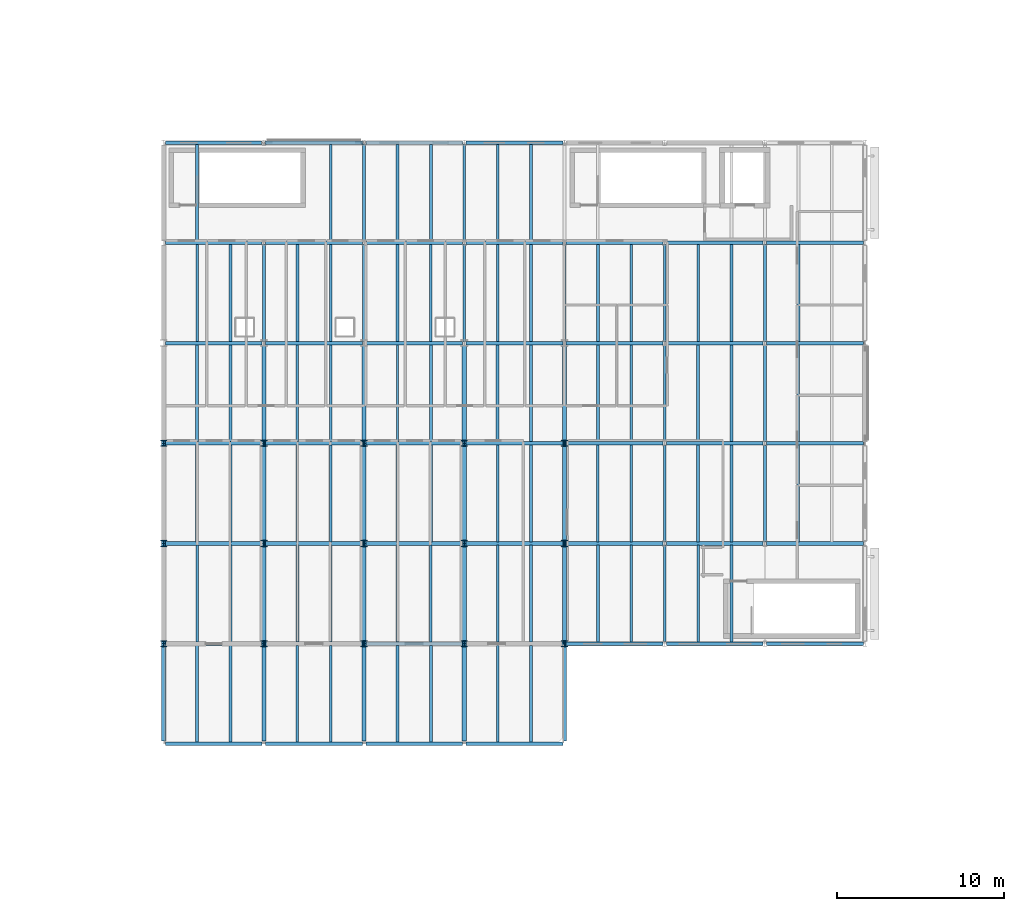
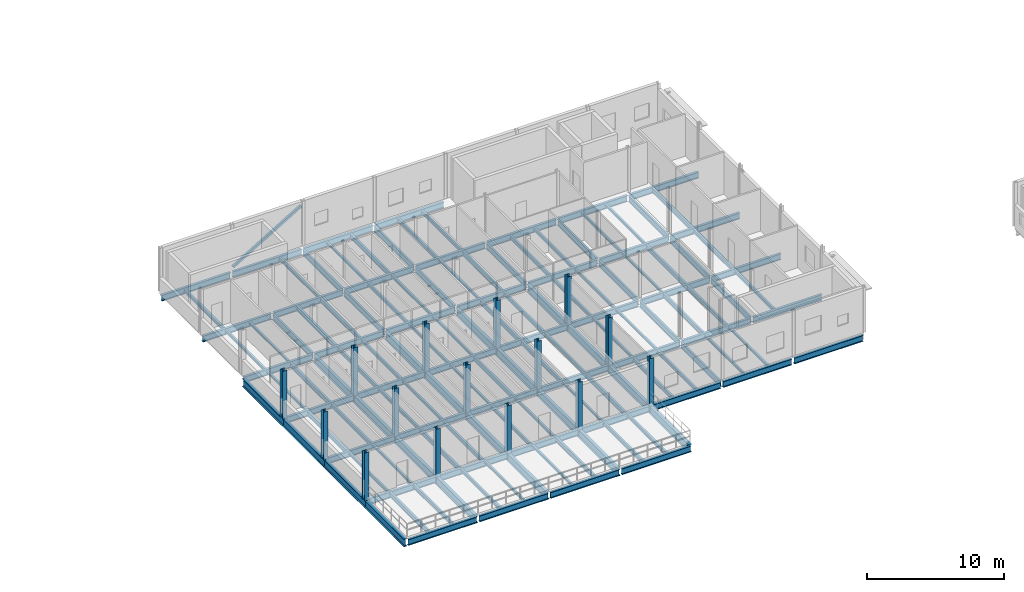
# One storey, part 9 of 45: 141 beams, 16 members.
"""IFC4 building model written with IfcOpenShell, lengths in metres."""

from ifc_helpers import new_model, si_unit, direction, frame, origin, origin_2d, place, context, subcontext, project, spatial, hollow_rectangle, i_section, extrude, material, material_profile, profile_set, type_object, element, save


model = new_model("IFC4")

# Units and contexts
model_context = context("Model", 3, precision=1e-05, world=origin(), true_north=direction((0.0, 1.0)))
body_context = subcontext(model_context, "Body", "Model", "MODEL_VIEW")
ifc_project = project(units=[si_unit("LENGTHUNIT", "METRE"), si_unit("AREAUNIT", "SQUARE_METRE"), si_unit("VOLUMEUNIT", "CUBIC_METRE"), si_unit("PLANEANGLEUNIT", "RADIAN"), si_unit("MASSUNIT", "GRAM", prefix="KILO")], contexts=[model_context])

# Site, building, storey
site_placement = place(None, origin())
site = spatial("IfcSite", under=ifc_project, at=site_placement, CompositionType="ELEMENT")
building_placement = place(site_placement, origin())
building = spatial("IfcBuilding", under=site, at=building_placement, Name="Siltcreek Boulevard Central Fire Station", CompositionType="ELEMENT")
storey_placement = place(building_placement, frame((0.0, 0.0, 10.0)))
storey = spatial("IfcBuildingStorey", under=building, at=storey_placement, Name="L03", CompositionType="ELEMENT", Elevation=10.0)

# Beams
ifc_material_1 = material(Name="Structural steel ASTM A992 Gr50", Category="steel")
ifc_material_profile_1 = material_profile(ifc_material_1, i_section(OverallWidth=0.2109375, OverallDepth=0.5390625, WebThickness=0.01171875, FlangeThickness=0.018798828125, at=origin_2d()), Name="W530X109")
ifc_profile_set_1 = profile_set([ifc_material_profile_1], Name="Structural steel ASTM A992 Gr50")
beam_type_1 = type_object("IfcBeamType", Name="BM_W530X109", PredefinedType="BEAM", material=ifc_profile_set_1)
for number, where, z_axis, x_axis, name in (
    (1, (66.10009765625, 18.0, -0.4794921875), (1.0, 0.0, 0.0), (0.0, 1.0, 0.0), "L03 primary steel girder GX-0312"),
    (2, (72.10009765625, 18.0, -0.4794921875), (1.0, 0.0, 0.0), (0.0, 1.0, 0.0), "L03 primary steel girder GX-0313"),
    (3, (78.10009765625, 18.0, -0.4794921875), (1.0, 0.0, 0.0), (0.0, 1.0, 0.0), "L03 primary steel girder GX-0314"),
    (4, (84.10009765625, 18.0, -0.4794921875), (1.0, 0.0, 0.0), (0.0, 1.0, 0.0), "L03 primary steel girder GX-0315"),
    (5, (66.10009765625, 24.0, -0.549560546875), (1.0, 0.0, 0.0), (0.0, 1.0, 0.0), "L03 primary steel girder GX-0316"),
    (6, (72.10009765625, 24.0, -0.549560546875), (1.0, 0.0, 0.0), (0.0, 1.0, 0.0), "L03 primary steel girder GX-0317"),
    (7, (78.10009765625, 24.0, -0.549560546875), (1.0, 0.0, 0.0), (0.0, 1.0, 0.0), "L03 primary steel girder GX-0318"),
    (8, (84.10009765625, 24.0, -0.549560546875), (1.0, 0.0, 0.0), (0.0, 1.0, 0.0), "L03 primary steel girder GX-0319"),
    (9, (90.10009765625, 24.0, -0.549560546875), (1.0, 0.0, 0.0), (0.0, 1.0, 0.0), "L03 primary steel girder GX-0320"),
    (10, (96.10009765625, 24.0, -0.549560546875), (1.0, 0.0, 0.0), (0.0, 1.0, 0.0), "L03 primary steel girder GX-0321"),
    (11, (102.10009765625, 24.0, -0.549560546875), (1.0, 0.0, 0.0), (0.0, 1.0, 0.0), "L03 primary steel girder GX-0322"),
    (12, (66.10009765625, 30.0, -0.549560546875), (1.0, 0.0, 0.0), (0.0, 1.0, 0.0), "L03 primary steel girder GX-0323"),
    (13, (72.10009765625, 30.0, -0.549560546875), (1.0, 0.0, 0.0), (0.0, 1.0, 0.0), "L03 primary steel girder GX-0324"),
    (14, (78.10009765625, 30.0, -0.549560546875), (1.0, 0.0, 0.0), (0.0, 1.0, 0.0), "L03 primary steel girder GX-0325"),
    (15, (84.10009765625, 30.0, -0.549560546875), (1.0, 0.0, 0.0), (0.0, 1.0, 0.0), "L03 primary steel girder GX-0326"),
    (16, (90.10009765625, 30.0, -0.549560546875), (1.0, 0.0, 0.0), (0.0, 1.0, 0.0), "L03 primary steel girder GX-0327"),
    (17, (96.10009765625, 30.0, -0.549560546875), (1.0, 0.0, 0.0), (0.0, 1.0, 0.0), "L03 primary steel girder GX-0328"),
    (18, (102.10009765625, 30.0, -0.549560546875), (1.0, 0.0, 0.0), (0.0, 1.0, 0.0), "L03 primary steel girder GX-0329"),
    (19, (66.10009765625, 36.0, -0.549560546875), (1.0, 0.0, 0.0), (0.0, 1.0, 0.0), "L03 primary steel girder GX-0330"),
    (20, (72.10009765625, 36.0, -0.549560546875), (1.0, 0.0, 0.0), (0.0, 1.0, 0.0), "L03 primary steel girder GX-0331"),
    (21, (78.10009765625, 36.0, -0.549560546875), (1.0, 0.0, 0.0), (0.0, 1.0, 0.0), "L03 primary steel girder GX-0332"),
    (22, (84.10009765625, 36.0, -0.549560546875), (1.0, 0.0, 0.0), (0.0, 1.0, 0.0), "L03 primary steel girder GX-0333"),
    (23, (90.10009765625, 36.0, -0.549560546875), (1.0, 0.0, 0.0), (0.0, 1.0, 0.0), "L03 primary steel girder GX-0334"),
    (24, (96.10009765625, 36.0, -0.549560546875), (1.0, 0.0, 0.0), (0.0, 1.0, 0.0), "L03 primary steel girder GX-0335"),
    (25, (102.10009765625, 36.0, -0.549560546875), (1.0, 0.0, 0.0), (0.0, 1.0, 0.0), "L03 primary steel girder GX-0336"),
    (26, (66.10009765625, 42.0, -0.549560546875), (1.0, 0.0, 0.0), (0.0, 1.0, 0.0), "L03 primary steel girder GX-0337"),
    (27, (72.10009765625, 42.0, -0.549560546875), (1.0, 0.0, 0.0), (0.0, 1.0, 0.0), "L03 primary steel girder GX-0338"),
    (28, (78.10009765625, 42.0, -0.549560546875), (1.0, 0.0, 0.0), (0.0, 1.0, 0.0), "L03 primary steel girder GX-0339"),
    (29, (84.10009765625, 42.0, -0.549560546875), (1.0, 0.0, 0.0), (0.0, 1.0, 0.0), "L03 primary steel girder GX-0340"),
    (30, (90.10009765625, 42.0, -0.549560546875), (1.0, 0.0, 0.0), (0.0, 1.0, 0.0), "L03 primary steel girder GX-0341"),
    (31, (96.10009765625, 42.0, -0.549560546875), (1.0, 0.0, 0.0), (0.0, 1.0, 0.0), "L03 primary steel girder GX-0342"),
    (32, (102.10009765625, 42.0, -0.549560546875), (1.0, 0.0, 0.0), (0.0, 1.0, 0.0), "L03 primary steel girder GX-0343"),
    (33, (66.10009765625, 48.0, -0.549560546875), (1.0, 0.0, 0.0), (0.0, 1.0, 0.0), "L03 primary steel girder GX-0344"),
    (34, (72.10009765625, 48.0, -0.549560546875), (1.0, 0.0, 0.0), (0.0, 1.0, 0.0), "L03 primary steel girder GX-0345"),
    (35, (78.10009765625, 48.0, -0.549560546875), (1.0, 0.0, 0.0), (0.0, 1.0, 0.0), "L03 primary steel girder GX-0346"),
    (36, (84.10009765625, 48.0, -0.549560546875), (1.0, 0.0, 0.0), (0.0, 1.0, 0.0), "L03 primary steel girder GX-0347"),
    (37, (90.10009765625, 48.0, -0.549560546875), (1.0, 0.0, 0.0), (0.0, 1.0, 0.0), "L03 primary steel girder GX-0348"),
    (38, (96.10009765625, 48.0, -0.549560546875), (1.0, 0.0, 0.0), (0.0, 1.0, 0.0), "L03 primary steel girder GX-0349"),
    (39, (102.10009765625, 48.0, -0.549560546875), (1.0, 0.0, 0.0), (0.0, 1.0, 0.0), "L03 primary steel girder GX-0350"),
    (40, (66.10009765625, 54.0, -0.549560546875), (1.0, 0.0, 0.0), (0.0, 1.0, 0.0), "L03 primary steel girder GX-0351"),
    (41, (72.10009765625, 54.0, -0.549560546875), (1.0, 0.0, 0.0), (0.0, 1.0, 0.0), "L03 primary steel girder GX-0352"),
    (42, (78.10009765625, 54.0, -0.549560546875), (1.0, 0.0, 0.0), (0.0, 1.0, 0.0), "L03 primary steel girder GX-0353"),
    (43, (84.10009765625, 54.0, -0.549560546875), (1.0, 0.0, 0.0), (0.0, 1.0, 0.0), "L03 primary steel girder GX-0354"),
):
    element("IfcBeam", number, at=place(storey_placement, frame(where, z_axis=z_axis, x_axis=x_axis)), inside=storey, type_object=beam_type_1, Name=name, PredefinedType="BEAM", context=body_context, shape_type="SweptSolid", body=[
        extrude(i_section(OverallWidth=0.2109375, OverallDepth=0.5390625, WebThickness=0.01171875, FlangeThickness=0.018798828125, at=origin_2d()), origin(), (0.0, 0.0, 1.0), 5.7998046875),
    ])
ifc_material_profile_2 = material_profile(ifc_material_1, i_section(OverallWidth=0.166015625, OverallDepth=0.534912109375, WebThickness=0.01025390625, FlangeThickness=0.0166015625, at=origin_2d()), Name="W530X85")
ifc_profile_set_2 = profile_set([ifc_material_profile_2], Name="Structural steel ASTM A992 Gr50")
beam_type_2 = type_object("IfcBeamType", Name="BM_W530X85", PredefinedType="BEAM", material=ifc_profile_set_2)
for number, where, z_axis, x_axis, name in (
    (44, (72.0, 42.10009765625, -0.547607421875), (0.0, 1.0, 0.0), (-1.0, 0.0, 0.0), "L03 primary steel girder GY-0358"),
    (45, (78.0, 42.10009765625, -0.547607421875), (0.0, 1.0, 0.0), (-1.0, 0.0, 0.0), "L03 primary steel girder GY-0359"),
    (46, (78.0, 48.10009765625, -0.547607421875), (0.0, 1.0, 0.0), (-1.0, 0.0, 0.0), "L03 primary steel girder GY-0360"),
    (47, (84.0, 42.10009765625, -0.547607421875), (0.0, 1.0, 0.0), (-1.0, 0.0, 0.0), "L03 primary steel girder GY-0361"),
    (48, (84.0, 48.10009765625, -0.547607421875), (0.0, 1.0, 0.0), (-1.0, 0.0, 0.0), "L03 primary steel girder GY-0362"),
    (49, (90.0, 42.10009765625, -0.547607421875), (0.0, 1.0, 0.0), (-1.0, 0.0, 0.0), "L03 primary steel girder GY-0363"),
    (50, (96.0, 24.10009765625, -0.547607421875), (0.0, 1.0, 0.0), (-1.0, 0.0, 0.0), "L03 primary steel girder GY-0365"),
    (51, (96.0, 30.10009765625, -0.547607421875), (0.0, 1.0, 0.0), (-1.0, 0.0, 0.0), "L03 primary steel girder GY-0366"),
    (52, (96.0, 36.10009765625, -0.547607421875), (0.0, 1.0, 0.0), (-1.0, 0.0, 0.0), "L03 primary steel girder GY-0367"),
    (53, (96.0, 42.10009765625, -0.547607421875), (0.0, 1.0, 0.0), (-1.0, 0.0, 0.0), "L03 primary steel girder GY-0368"),
    (54, (102.0, 30.10009765625, -0.547607421875), (0.0, 1.0, 0.0), (-1.0, 0.0, 0.0), "L03 primary steel girder GY-0369"),
    (55, (102.0, 36.10009765625, -0.547607421875), (0.0, 1.0, 0.0), (-1.0, 0.0, 0.0), "L03 primary steel girder GY-0370"),
    (56, (102.0, 42.10009765625, -0.547607421875), (0.0, 1.0, 0.0), (-1.0, 0.0, 0.0), "L03 primary steel girder GY-0371"),
):
    element("IfcBeam", number, at=place(storey_placement, frame(where, z_axis=z_axis, x_axis=x_axis)), inside=storey, type_object=beam_type_2, Name=name, PredefinedType="BEAM", context=body_context, shape_type="SweptSolid", body=[
        extrude(i_section(OverallWidth=0.166015625, OverallDepth=0.534912109375, WebThickness=0.01025390625, FlangeThickness=0.0166015625, at=origin_2d()), origin(), (0.0, 0.0, 1.0), 5.7998046875),
    ])
ifc_material_profile_3 = material_profile(ifc_material_1, i_section(OverallWidth=0.256103515625, OverallDepth=0.693115234375, WebThickness=0.014404296875, FlangeThickness=0.023681640625, at=origin_2d()), Name="W690X170")
ifc_profile_set_3 = profile_set([ifc_material_profile_3], Name="Structural steel ASTM A992 Gr50")
beam_type_3 = type_object("IfcBeamType", Name="BM_W690X170", PredefinedType="BEAM", material=ifc_profile_set_3)
beam_1_placement = place(storey_placement, frame((66.0, 18.18505859375, -0.62646484375), z_axis=(0.0, 1.0, 0.0), x_axis=(-1.0, 0.0, 0.0)))
element("IfcBeam", 57, at=beam_1_placement, inside=storey, type_object=beam_type_3, Name="Pratt transfer truss TT1 top chord panel 1", PredefinedType="BEAM", context=body_context, shape_type="SweptSolid", body=[
    extrude(i_section(OverallWidth=0.256103515625, OverallDepth=0.693115234375, WebThickness=0.014404296875, FlangeThickness=0.023681640625, at=origin_2d()), origin(), (0.0, 0.0, 1.0), 5.81298828125),
])
for number, where, z_axis, x_axis, name in (
    (58, (66.0, 24.001953125, -0.62646484375), (0.0, 1.0, 0.0), (-1.0, 0.0, 0.0), "Pratt transfer truss TT1 top chord panel 2"),
    (59, (66.0, 30.001953125, -0.62646484375), (0.0, 1.0, 0.0), (-1.0, 0.0, 0.0), "Pratt transfer truss TT1 top chord panel 3"),
):
    element("IfcBeam", number, at=place(storey_placement, frame(where, z_axis=z_axis, x_axis=x_axis)), inside=storey, type_object=beam_type_3, Name=name, PredefinedType="BEAM", context=body_context, shape_type="SweptSolid", body=[
        extrude(i_section(OverallWidth=0.256103515625, OverallDepth=0.693115234375, WebThickness=0.014404296875, FlangeThickness=0.023681640625, at=origin_2d()), origin(), (0.0, 0.0, 1.0), 5.99609375),
    ])
for number, where, z_axis, x_axis, name in (
    (60, (66.0, 36.001953125, -0.62646484375), (0.0, 1.0, 0.0), (-1.0, 0.0, 0.0), "Pratt transfer truss TT1 top chord panel 4"),
    (61, (72.0, 18.18505859375, -0.62646484375), (0.0, 1.0, 0.0), (-1.0, 0.0, 0.0), "Pratt transfer truss TT2 top chord panel 1"),
):
    element("IfcBeam", number, at=place(storey_placement, frame(where, z_axis=z_axis, x_axis=x_axis)), inside=storey, type_object=beam_type_3, Name=name, PredefinedType="BEAM", context=body_context, shape_type="SweptSolid", body=[
        extrude(i_section(OverallWidth=0.256103515625, OverallDepth=0.693115234375, WebThickness=0.014404296875, FlangeThickness=0.023681640625, at=origin_2d()), origin(), (0.0, 0.0, 1.0), 5.81298828125),
    ])
for number, where, z_axis, x_axis, name in (
    (62, (72.0, 24.001953125, -0.62646484375), (0.0, 1.0, 0.0), (-1.0, 0.0, 0.0), "Pratt transfer truss TT2 top chord panel 2"),
    (63, (72.0, 30.001953125, -0.62646484375), (0.0, 1.0, 0.0), (-1.0, 0.0, 0.0), "Pratt transfer truss TT2 top chord panel 3"),
):
    element("IfcBeam", number, at=place(storey_placement, frame(where, z_axis=z_axis, x_axis=x_axis)), inside=storey, type_object=beam_type_3, Name=name, PredefinedType="BEAM", context=body_context, shape_type="SweptSolid", body=[
        extrude(i_section(OverallWidth=0.256103515625, OverallDepth=0.693115234375, WebThickness=0.014404296875, FlangeThickness=0.023681640625, at=origin_2d()), origin(), (0.0, 0.0, 1.0), 5.99609375),
    ])
for number, where, z_axis, x_axis, name in (
    (64, (72.0, 36.001953125, -0.62646484375), (0.0, 1.0, 0.0), (-1.0, 0.0, 0.0), "Pratt transfer truss TT2 top chord panel 4"),
    (65, (78.0, 18.18505859375, -0.62646484375), (0.0, 1.0, 0.0), (-1.0, 0.0, 0.0), "Pratt transfer truss TT3 top chord panel 1"),
):
    element("IfcBeam", number, at=place(storey_placement, frame(where, z_axis=z_axis, x_axis=x_axis)), inside=storey, type_object=beam_type_3, Name=name, PredefinedType="BEAM", context=body_context, shape_type="SweptSolid", body=[
        extrude(i_section(OverallWidth=0.256103515625, OverallDepth=0.693115234375, WebThickness=0.014404296875, FlangeThickness=0.023681640625, at=origin_2d()), origin(), (0.0, 0.0, 1.0), 5.81298828125),
    ])
for number, where, z_axis, x_axis, name in (
    (66, (78.0, 24.001953125, -0.62646484375), (0.0, 1.0, 0.0), (-1.0, 0.0, 0.0), "Pratt transfer truss TT3 top chord panel 2"),
    (67, (78.0, 30.001953125, -0.62646484375), (0.0, 1.0, 0.0), (-1.0, 0.0, 0.0), "Pratt transfer truss TT3 top chord panel 3"),
):
    element("IfcBeam", number, at=place(storey_placement, frame(where, z_axis=z_axis, x_axis=x_axis)), inside=storey, type_object=beam_type_3, Name=name, PredefinedType="BEAM", context=body_context, shape_type="SweptSolid", body=[
        extrude(i_section(OverallWidth=0.256103515625, OverallDepth=0.693115234375, WebThickness=0.014404296875, FlangeThickness=0.023681640625, at=origin_2d()), origin(), (0.0, 0.0, 1.0), 5.99609375),
    ])
for number, where, z_axis, x_axis, name in (
    (68, (78.0, 36.001953125, -0.62646484375), (0.0, 1.0, 0.0), (-1.0, 0.0, 0.0), "Pratt transfer truss TT3 top chord panel 4"),
    (69, (84.0, 18.18505859375, -0.62646484375), (0.0, 1.0, 0.0), (-1.0, 0.0, 0.0), "Pratt transfer truss TT4 top chord panel 1"),
):
    element("IfcBeam", number, at=place(storey_placement, frame(where, z_axis=z_axis, x_axis=x_axis)), inside=storey, type_object=beam_type_3, Name=name, PredefinedType="BEAM", context=body_context, shape_type="SweptSolid", body=[
        extrude(i_section(OverallWidth=0.256103515625, OverallDepth=0.693115234375, WebThickness=0.014404296875, FlangeThickness=0.023681640625, at=origin_2d()), origin(), (0.0, 0.0, 1.0), 5.81298828125),
    ])
for number, where, z_axis, x_axis, name in (
    (70, (84.0, 24.001953125, -0.62646484375), (0.0, 1.0, 0.0), (-1.0, 0.0, 0.0), "Pratt transfer truss TT4 top chord panel 2"),
    (71, (84.0, 30.001953125, -0.62646484375), (0.0, 1.0, 0.0), (-1.0, 0.0, 0.0), "Pratt transfer truss TT4 top chord panel 3"),
):
    element("IfcBeam", number, at=place(storey_placement, frame(where, z_axis=z_axis, x_axis=x_axis)), inside=storey, type_object=beam_type_3, Name=name, PredefinedType="BEAM", context=body_context, shape_type="SweptSolid", body=[
        extrude(i_section(OverallWidth=0.256103515625, OverallDepth=0.693115234375, WebThickness=0.014404296875, FlangeThickness=0.023681640625, at=origin_2d()), origin(), (0.0, 0.0, 1.0), 5.99609375),
    ])
for number, where, z_axis, x_axis, name in (
    (72, (84.0, 36.001953125, -0.62646484375), (0.0, 1.0, 0.0), (-1.0, 0.0, 0.0), "Pratt transfer truss TT4 top chord panel 4"),
    (73, (90.0, 18.18505859375, -0.62646484375), (0.0, 1.0, 0.0), (-1.0, 0.0, 0.0), "Pratt transfer truss TT5 top chord panel 1"),
):
    element("IfcBeam", number, at=place(storey_placement, frame(where, z_axis=z_axis, x_axis=x_axis)), inside=storey, type_object=beam_type_3, Name=name, PredefinedType="BEAM", context=body_context, shape_type="SweptSolid", body=[
        extrude(i_section(OverallWidth=0.256103515625, OverallDepth=0.693115234375, WebThickness=0.014404296875, FlangeThickness=0.023681640625, at=origin_2d()), origin(), (0.0, 0.0, 1.0), 5.81298828125),
    ])
for number, where, z_axis, x_axis, name in (
    (74, (90.0, 24.001953125, -0.62646484375), (0.0, 1.0, 0.0), (-1.0, 0.0, 0.0), "Pratt transfer truss TT5 top chord panel 2"),
    (75, (90.0, 30.001953125, -0.62646484375), (0.0, 1.0, 0.0), (-1.0, 0.0, 0.0), "Pratt transfer truss TT5 top chord panel 3"),
):
    element("IfcBeam", number, at=place(storey_placement, frame(where, z_axis=z_axis, x_axis=x_axis)), inside=storey, type_object=beam_type_3, Name=name, PredefinedType="BEAM", context=body_context, shape_type="SweptSolid", body=[
        extrude(i_section(OverallWidth=0.256103515625, OverallDepth=0.693115234375, WebThickness=0.014404296875, FlangeThickness=0.023681640625, at=origin_2d()), origin(), (0.0, 0.0, 1.0), 5.99609375),
    ])
beam_2_placement = place(storey_placement, frame((90.0, 36.001953125, -0.62646484375), z_axis=(0.0, 1.0, 0.0), x_axis=(-1.0, 0.0, 0.0)))
element("IfcBeam", 76, at=beam_2_placement, inside=storey, type_object=beam_type_3, Name="Pratt transfer truss TT5 top chord panel 4", PredefinedType="BEAM", context=body_context, shape_type="SweptSolid", body=[
    extrude(i_section(OverallWidth=0.256103515625, OverallDepth=0.693115234375, WebThickness=0.014404296875, FlangeThickness=0.023681640625, at=origin_2d()), origin(), (0.0, 0.0, 1.0), 5.81298828125),
])

# Members
ifc_material_2 = material(Name="Structural steel ASTM A500 GrC", Category="steel")
ifc_material_profile_4 = material_profile(ifc_material_2, hollow_rectangle(XDim=0.199951171875, YDim=0.199951171875, WallThickness=0.00634765625, at=origin_2d()), Name="HSS200X200X6.4")
ifc_profile_set_4 = profile_set([ifc_material_profile_4], Name="Structural steel ASTM A500 GrC")
member_type_1 = type_object("IfcMemberType", Name="BR_HSS200_6", PredefinedType="BRACE", material=ifc_profile_set_4)
member_placement = place(storey_placement, frame((72.1201171875, 54.0, 0.10009765625), z_axis=(0.857880912355, 0.0, 0.513848557667), x_axis=(0.0, 1.0, 0.0)))
element("IfcMember", 77, at=member_placement, inside=storey, type_object=member_type_1, Name="L03 buckling-restrained brace BR-012", PredefinedType="BRACE", context=body_context, shape_type="SweptSolid", body=[
    extrude(hollow_rectangle(XDim=0.199951171875, YDim=0.199951171875, WallThickness=0.00634765625, at=origin_2d()), origin(), (0.0, 0.0, 1.0), 6.7138671875),
])
ifc_material_profile_5 = material_profile(ifc_material_1, i_section(OverallWidth=0.3740234375, OverallDepth=0.3720703125, WebThickness=0.016357421875, FlangeThickness=0.026123046875, at=origin_2d()), Name="W360X196")
ifc_profile_set_5 = profile_set([ifc_material_profile_5], Name="Structural steel ASTM A992 Gr50")
member_type_2 = type_object("IfcMemberType", Name="CH_W360X196", PredefinedType="CHORD", material=ifc_profile_set_5)
for number, where, z_axis, x_axis, name in (
    (78, (66.0, 24.0, -0.284912109375), (0.0, 0.0, 1.0), (1.0, 0.0, 0.0), "L03 bridged truss frame post X66Y24"),
    (79, (66.0, 30.0, -0.284912109375), (0.0, 0.0, 1.0), (1.0, 0.0, 0.0), "L03 bridged truss frame post X66Y30"),
    (80, (66.0, 36.0, -0.284912109375), (0.0, 0.0, 1.0), (1.0, 0.0, 0.0), "L03 bridged truss frame post X66Y36"),
    (81, (72.0, 24.0, -0.284912109375), (0.0, 0.0, 1.0), (1.0, 0.0, 0.0), "L03 bridged truss frame post X72Y24"),
    (82, (72.0, 30.0, -0.284912109375), (0.0, 0.0, 1.0), (1.0, 0.0, 0.0), "L03 bridged truss frame post X72Y30"),
    (83, (72.0, 36.0, -0.284912109375), (0.0, 0.0, 1.0), (1.0, 0.0, 0.0), "L03 bridged truss frame post X72Y36"),
    (84, (78.0, 24.0, -0.284912109375), (0.0, 0.0, 1.0), (1.0, 0.0, 0.0), "L03 bridged truss frame post X78Y24"),
    (85, (78.0, 30.0, -0.284912109375), (0.0, 0.0, 1.0), (1.0, 0.0, 0.0), "L03 bridged truss frame post X78Y30"),
    (86, (78.0, 36.0, -0.284912109375), (0.0, 0.0, 1.0), (1.0, 0.0, 0.0), "L03 bridged truss frame post X78Y36"),
    (87, (84.0, 24.0, -0.284912109375), (0.0, 0.0, 1.0), (1.0, 0.0, 0.0), "L03 bridged truss frame post X84Y24"),
    (88, (84.0, 30.0, -0.284912109375), (0.0, 0.0, 1.0), (1.0, 0.0, 0.0), "L03 bridged truss frame post X84Y30"),
    (89, (84.0, 36.0, -0.284912109375), (0.0, 0.0, 1.0), (1.0, 0.0, 0.0), "L03 bridged truss frame post X84Y36"),
    (90, (90.0, 24.0, -0.284912109375), (0.0, 0.0, 1.0), (1.0, 0.0, 0.0), "L03 bridged truss frame post X90Y24"),
    (91, (90.0, 30.0, -0.284912109375), (0.0, 0.0, 1.0), (1.0, 0.0, 0.0), "L03 bridged truss frame post X90Y30"),
    (92, (90.0, 36.0, -0.284912109375), (0.0, 0.0, 1.0), (1.0, 0.0, 0.0), "L03 bridged truss frame post X90Y36"),
):
    element("IfcMember", number, at=place(storey_placement, frame(where, z_axis=z_axis, x_axis=x_axis)), inside=storey, type_object=member_type_2, Name=name, PredefinedType="CHORD", context=body_context, shape_type="SweptSolid", body=[
        extrude(i_section(OverallWidth=0.3740234375, OverallDepth=0.3720703125, WebThickness=0.016357421875, FlangeThickness=0.026123046875, at=origin_2d()), origin(), (0.0, 0.0, 1.0), 4.284912109375),
    ])

# Beams
ifc_material_profile_6 = material_profile(ifc_material_1, i_section(OverallWidth=0.1650390625, OverallDepth=0.200927734375, WebThickness=0.006103515625, FlangeThickness=0.01025390625, at=origin_2d()), Name="W200X36")
ifc_profile_set_6 = profile_set([ifc_material_profile_6], Name="Structural steel ASTM A992 Gr50")
beam_type_4 = type_object("IfcBeamType", Name="JST_W200X36", PredefinedType="JOIST", material=ifc_profile_set_6)
for number, where, z_axis, x_axis, name in (
    (93, (80.0, 18.103515625, -0.310546875), (0.0, 1.0, 0.0), (-1.0, 0.0, 0.0), "L03 secondary steel floor joist 0271"),
    (94, (70.0, 24.103515625, -0.380615234375), (0.0, 1.0, 0.0), (-1.0, 0.0, 0.0), "L03 secondary steel floor joist 0276"),
    (95, (86.0, 24.103515625, -0.380615234375), (0.0, 1.0, 0.0), (-1.0, 0.0, 0.0), "L03 secondary steel floor joist 0281"),
    (96, (100.0, 24.103515625, -0.380615234375), (0.0, 1.0, 0.0), (-1.0, 0.0, 0.0), "L03 secondary steel floor joist 0286"),
    (97, (80.0, 30.103515625, -0.380615234375), (0.0, 1.0, 0.0), (-1.0, 0.0, 0.0), "L03 secondary steel floor joist 0291"),
    (98, (94.0, 30.103515625, -0.380615234375), (0.0, 1.0, 0.0), (-1.0, 0.0, 0.0), "L03 secondary steel floor joist 0296"),
    (99, (68.0, 36.103515625, -0.380615234375), (0.0, 1.0, 0.0), (-1.0, 0.0, 0.0), "L03 secondary steel floor joist 0301"),
    (100, (82.0, 36.103515625, -0.380615234375), (0.0, 1.0, 0.0), (-1.0, 0.0, 0.0), "L03 secondary steel floor joist 0306"),
    (101, (98.0, 36.103515625, -0.380615234375), (0.0, 1.0, 0.0), (-1.0, 0.0, 0.0), "L03 secondary steel floor joist 0311"),
    (102, (70.0, 42.103515625, -0.380615234375), (0.0, 1.0, 0.0), (-1.0, 0.0, 0.0), "L03 secondary steel floor joist 0316"),
    (103, (86.0, 42.103515625, -0.380615234375), (0.0, 1.0, 0.0), (-1.0, 0.0, 0.0), "L03 secondary steel floor joist 0321"),
    (104, (100.0, 42.103515625, -0.380615234375), (0.0, 1.0, 0.0), (-1.0, 0.0, 0.0), "L03 secondary steel floor joist 0326"),
    (105, (80.0, 48.103515625, -0.380615234375), (0.0, 1.0, 0.0), (-1.0, 0.0, 0.0), "L03 secondary steel floor joist 0331"),
):
    element("IfcBeam", number, at=place(storey_placement, frame(where, z_axis=z_axis, x_axis=x_axis)), inside=storey, type_object=beam_type_4, Name=name, PredefinedType="JOIST", context=body_context, shape_type="SweptSolid", body=[
        extrude(i_section(OverallWidth=0.1650390625, OverallDepth=0.200927734375, WebThickness=0.006103515625, FlangeThickness=0.01025390625, at=origin_2d()), origin(), (0.0, 0.0, 1.0), 5.79296875),
    ])
ifc_material_profile_7 = material_profile(ifc_material_1, i_section(OverallWidth=0.14697265625, OverallDepth=0.261962890625, WebThickness=0.006591796875, FlangeThickness=0.01123046875, at=origin_2d()), Name="W250X39")
ifc_profile_set_7 = profile_set([ifc_material_profile_7], Name="Structural steel ASTM A992 Gr50")
beam_type_5 = type_object("IfcBeamType", Name="JST_W250X39", PredefinedType="JOIST", material=ifc_profile_set_7)
for number, where, z_axis, x_axis, name in (
    (106, (76.0, 18.103515625, -0.341064453125), (0.0, 1.0, 0.0), (-1.0, 0.0, 0.0), "L03 secondary steel floor joist 0270"),
    (107, (68.0, 24.103515625, -0.410888671875), (0.0, 1.0, 0.0), (-1.0, 0.0, 0.0), "L03 secondary steel floor joist 0275"),
    (108, (82.0, 24.103515625, -0.410888671875), (0.0, 1.0, 0.0), (-1.0, 0.0, 0.0), "L03 secondary steel floor joist 0280"),
    (109, (98.0, 24.103515625, -0.410888671875), (0.0, 1.0, 0.0), (-1.0, 0.0, 0.0), "L03 secondary steel floor joist 0285"),
    (110, (76.0, 30.103515625, -0.410888671875), (0.0, 1.0, 0.0), (-1.0, 0.0, 0.0), "L03 secondary steel floor joist 0290"),
    (111, (92.0, 30.103515625, -0.410888671875), (0.0, 1.0, 0.0), (-1.0, 0.0, 0.0), "L03 secondary steel floor joist 0295"),
    (112, (80.0, 36.103515625, -0.410888671875), (0.0, 1.0, 0.0), (-1.0, 0.0, 0.0), "L03 secondary steel floor joist 0305"),
    (113, (94.0, 36.103515625, -0.410888671875), (0.0, 1.0, 0.0), (-1.0, 0.0, 0.0), "L03 secondary steel floor joist 0310"),
    (114, (68.0, 42.103515625, -0.410888671875), (0.0, 1.0, 0.0), (-1.0, 0.0, 0.0), "L03 secondary steel floor joist 0315"),
    (115, (82.0, 42.103515625, -0.410888671875), (0.0, 1.0, 0.0), (-1.0, 0.0, 0.0), "L03 secondary steel floor joist 0320"),
    (116, (98.0, 42.103515625, -0.410888671875), (0.0, 1.0, 0.0), (-1.0, 0.0, 0.0), "L03 secondary steel floor joist 0325"),
    (117, (76.0, 48.103515625, -0.410888671875), (0.0, 1.0, 0.0), (-1.0, 0.0, 0.0), "L03 secondary steel floor joist 0330"),
):
    element("IfcBeam", number, at=place(storey_placement, frame(where, z_axis=z_axis, x_axis=x_axis)), inside=storey, type_object=beam_type_5, Name=name, PredefinedType="JOIST", context=body_context, shape_type="SweptSolid", body=[
        extrude(i_section(OverallWidth=0.14697265625, OverallDepth=0.261962890625, WebThickness=0.006591796875, FlangeThickness=0.01123046875, at=origin_2d()), origin(), (0.0, 0.0, 1.0), 5.79296875),
    ])
ifc_material_profile_8 = material_profile(ifc_material_1, i_section(OverallWidth=0.166015625, OverallDepth=0.31298828125, WebThickness=0.006591796875, FlangeThickness=0.01123046875, at=origin_2d()), Name="W310X45")
ifc_profile_set_8 = profile_set([ifc_material_profile_8], Name="Structural steel ASTM A992 Gr50")
beam_type_6 = type_object("IfcBeamType", Name="JST_W310X45", PredefinedType="JOIST", material=ifc_profile_set_8)
for number, where, z_axis, x_axis, name in (
    (118, (74.0, 18.103515625, -0.366455078125), (0.0, 1.0, 0.0), (-1.0, 0.0, 0.0), "L03 secondary steel floor joist 0269"),
    (119, (88.0, 18.103515625, -0.366455078125), (0.0, 1.0, 0.0), (-1.0, 0.0, 0.0), "L03 secondary steel floor joist 0274"),
    (120, (80.0, 24.103515625, -0.4365234375), (0.0, 1.0, 0.0), (-1.0, 0.0, 0.0), "L03 secondary steel floor joist 0279"),
    (121, (94.0, 24.103515625, -0.4365234375), (0.0, 1.0, 0.0), (-1.0, 0.0, 0.0), "L03 secondary steel floor joist 0284"),
    (122, (74.0, 30.103515625, -0.4365234375), (0.0, 1.0, 0.0), (-1.0, 0.0, 0.0), "L03 secondary steel floor joist 0289"),
    (123, (88.0, 30.103515625, -0.4365234375), (0.0, 1.0, 0.0), (-1.0, 0.0, 0.0), "L03 secondary steel floor joist 0294"),
    (124, (104.0, 30.103515625, -0.4365234375), (0.0, 1.0, 0.0), (-1.0, 0.0, 0.0), "L03 secondary steel floor joist 0299"),
    (125, (76.0, 36.103515625, -0.4365234375), (0.0, 1.0, 0.0), (-1.0, 0.0, 0.0), "L03 secondary steel floor joist 0304"),
    (126, (92.0, 36.103515625, -0.4365234375), (0.0, 1.0, 0.0), (-1.0, 0.0, 0.0), "L03 secondary steel floor joist 0309"),
    (127, (80.0, 42.103515625, -0.4365234375), (0.0, 1.0, 0.0), (-1.0, 0.0, 0.0), "L03 secondary steel floor joist 0319"),
    (128, (94.0, 42.103515625, -0.4365234375), (0.0, 1.0, 0.0), (-1.0, 0.0, 0.0), "L03 secondary steel floor joist 0324"),
    (129, (68.0, 48.103515625, -0.4365234375), (0.0, 1.0, 0.0), (-1.0, 0.0, 0.0), "L03 secondary steel floor joist 0329"),
    (130, (88.0, 48.103515625, -0.4365234375), (0.0, 1.0, 0.0), (-1.0, 0.0, 0.0), "L03 secondary steel floor joist 0334"),
):
    element("IfcBeam", number, at=place(storey_placement, frame(where, z_axis=z_axis, x_axis=x_axis)), inside=storey, type_object=beam_type_6, Name=name, PredefinedType="JOIST", context=body_context, shape_type="SweptSolid", body=[
        extrude(i_section(OverallWidth=0.166015625, OverallDepth=0.31298828125, WebThickness=0.006591796875, FlangeThickness=0.01123046875, at=origin_2d()), origin(), (0.0, 0.0, 1.0), 5.79296875),
    ])
ifc_material_profile_9 = material_profile(ifc_material_1, i_section(OverallWidth=0.172119140625, OverallDepth=0.35791015625, WebThickness=0.0078125, FlangeThickness=0.01318359375, at=origin_2d()), Name="W360X57")
ifc_profile_set_9 = profile_set([ifc_material_profile_9], Name="Structural steel ASTM A992 Gr50")
beam_type_7 = type_object("IfcBeamType", Name="JST_W360X57", PredefinedType="JOIST", material=ifc_profile_set_9)
for number, where, z_axis, x_axis, name in (
    (131, (70.0, 18.103515625, -0.388916015625), (0.0, 1.0, 0.0), (-1.0, 0.0, 0.0), "L03 secondary steel floor joist 0268"),
    (132, (86.0, 18.103515625, -0.388916015625), (0.0, 1.0, 0.0), (-1.0, 0.0, 0.0), "L03 secondary steel floor joist 0273"),
    (133, (76.0, 24.103515625, -0.458984375), (0.0, 1.0, 0.0), (-1.0, 0.0, 0.0), "L03 secondary steel floor joist 0278"),
    (134, (92.0, 24.103515625, -0.458984375), (0.0, 1.0, 0.0), (-1.0, 0.0, 0.0), "L03 secondary steel floor joist 0283"),
    (135, (70.0, 30.103515625, -0.458984375), (0.0, 1.0, 0.0), (-1.0, 0.0, 0.0), "L03 secondary steel floor joist 0288"),
    (136, (86.0, 30.103515625, -0.458984375), (0.0, 1.0, 0.0), (-1.0, 0.0, 0.0), "L03 secondary steel floor joist 0293"),
    (137, (100.0, 30.103515625, -0.458984375), (0.0, 1.0, 0.0), (-1.0, 0.0, 0.0), "L03 secondary steel floor joist 0298"),
    (138, (74.0, 36.103515625, -0.458984375), (0.0, 1.0, 0.0), (-1.0, 0.0, 0.0), "L03 secondary steel floor joist 0303"),
    (139, (88.0, 36.103515625, -0.458984375), (0.0, 1.0, 0.0), (-1.0, 0.0, 0.0), "L03 secondary steel floor joist 0308"),
    (140, (104.0, 36.103515625, -0.458984375), (0.0, 1.0, 0.0), (-1.0, 0.0, 0.0), "L03 secondary steel floor joist 0313"),
    (141, (76.0, 42.103515625, -0.458984375), (0.0, 1.0, 0.0), (-1.0, 0.0, 0.0), "L03 secondary steel floor joist 0318"),
    (142, (92.0, 42.103515625, -0.458984375), (0.0, 1.0, 0.0), (-1.0, 0.0, 0.0), "L03 secondary steel floor joist 0323"),
    (143, (86.0, 48.103515625, -0.458984375), (0.0, 1.0, 0.0), (-1.0, 0.0, 0.0), "L03 secondary steel floor joist 0333"),
):
    element("IfcBeam", number, at=place(storey_placement, frame(where, z_axis=z_axis, x_axis=x_axis)), inside=storey, type_object=beam_type_7, Name=name, PredefinedType="JOIST", context=body_context, shape_type="SweptSolid", body=[
        extrude(i_section(OverallWidth=0.172119140625, OverallDepth=0.35791015625, WebThickness=0.0078125, FlangeThickness=0.01318359375, at=origin_2d()), origin(), (0.0, 0.0, 1.0), 5.79296875),
    ])
ifc_material_profile_10 = material_profile(ifc_material_1, i_section(OverallWidth=0.177001953125, OverallDepth=0.403076171875, WebThickness=0.007568359375, FlangeThickness=0.010986328125, at=origin_2d()), Name="W410X53")
ifc_profile_set_10 = profile_set([ifc_material_profile_10], Name="Structural steel ASTM A992 Gr50")
beam_type_8 = type_object("IfcBeamType", Name="JST_W410X53", PredefinedType="JOIST", material=ifc_profile_set_10)
for number, where, z_axis, x_axis, name in (
    (144, (68.0, 18.103515625, -0.41162109375), (0.0, 1.0, 0.0), (-1.0, 0.0, 0.0), "L03 secondary steel floor joist 0267"),
    (145, (82.0, 18.103515625, -0.41162109375), (0.0, 1.0, 0.0), (-1.0, 0.0, 0.0), "L03 secondary steel floor joist 0272"),
    (146, (74.0, 24.103515625, -0.4814453125), (0.0, 1.0, 0.0), (-1.0, 0.0, 0.0), "L03 secondary steel floor joist 0277"),
    (147, (88.0, 24.103515625, -0.4814453125), (0.0, 1.0, 0.0), (-1.0, 0.0, 0.0), "L03 secondary steel floor joist 0282"),
    (148, (68.0, 30.103515625, -0.4814453125), (0.0, 1.0, 0.0), (-1.0, 0.0, 0.0), "L03 secondary steel floor joist 0287"),
    (149, (82.0, 30.103515625, -0.4814453125), (0.0, 1.0, 0.0), (-1.0, 0.0, 0.0), "L03 secondary steel floor joist 0292"),
    (150, (98.0, 30.103515625, -0.4814453125), (0.0, 1.0, 0.0), (-1.0, 0.0, 0.0), "L03 secondary steel floor joist 0297"),
    (151, (70.0, 36.103515625, -0.4814453125), (0.0, 1.0, 0.0), (-1.0, 0.0, 0.0), "L03 secondary steel floor joist 0302"),
    (152, (86.0, 36.103515625, -0.4814453125), (0.0, 1.0, 0.0), (-1.0, 0.0, 0.0), "L03 secondary steel floor joist 0307"),
    (153, (100.0, 36.103515625, -0.4814453125), (0.0, 1.0, 0.0), (-1.0, 0.0, 0.0), "L03 secondary steel floor joist 0312"),
    (154, (74.0, 42.103515625, -0.4814453125), (0.0, 1.0, 0.0), (-1.0, 0.0, 0.0), "L03 secondary steel floor joist 0317"),
    (155, (88.0, 42.103515625, -0.4814453125), (0.0, 1.0, 0.0), (-1.0, 0.0, 0.0), "L03 secondary steel floor joist 0322"),
    (156, (104.0, 42.103515625, -0.4814453125), (0.0, 1.0, 0.0), (-1.0, 0.0, 0.0), "L03 secondary steel floor joist 0327"),
    (157, (82.0, 48.103515625, -0.4814453125), (0.0, 1.0, 0.0), (-1.0, 0.0, 0.0), "L03 secondary steel floor joist 0332"),
):
    element("IfcBeam", number, at=place(storey_placement, frame(where, z_axis=z_axis, x_axis=x_axis)), inside=storey, type_object=beam_type_8, Name=name, PredefinedType="JOIST", context=body_context, shape_type="SweptSolid", body=[
        extrude(i_section(OverallWidth=0.177001953125, OverallDepth=0.403076171875, WebThickness=0.007568359375, FlangeThickness=0.010986328125, at=origin_2d()), origin(), (0.0, 0.0, 1.0), 5.79296875),
    ])

save(model, "model.ifc")
